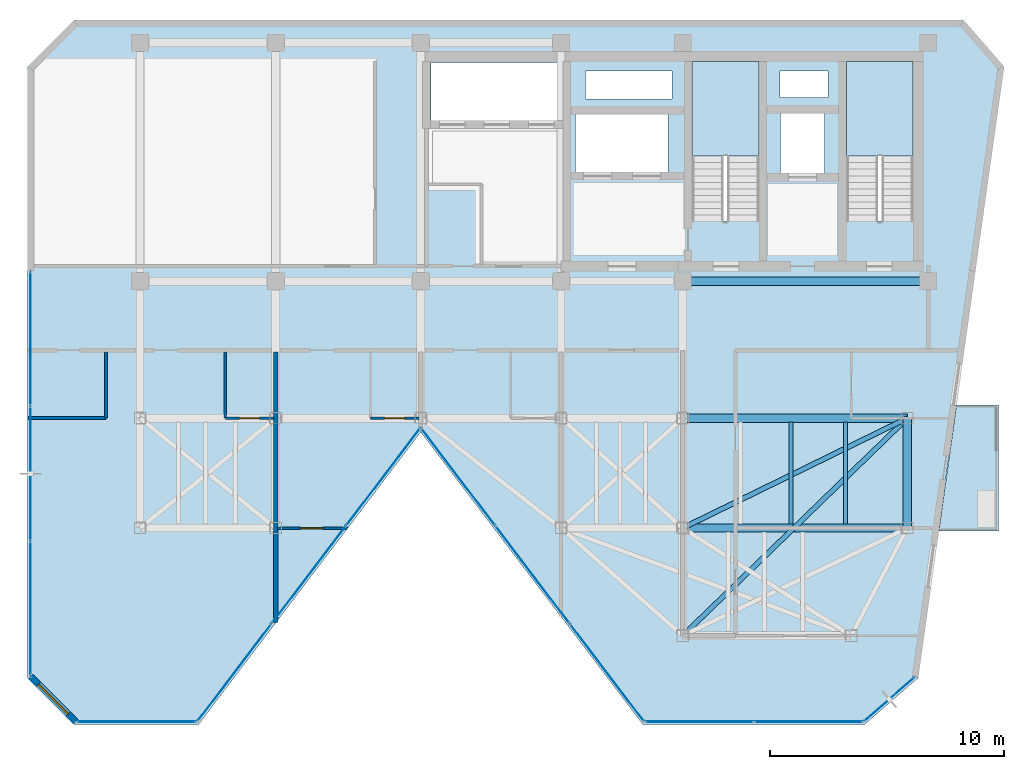
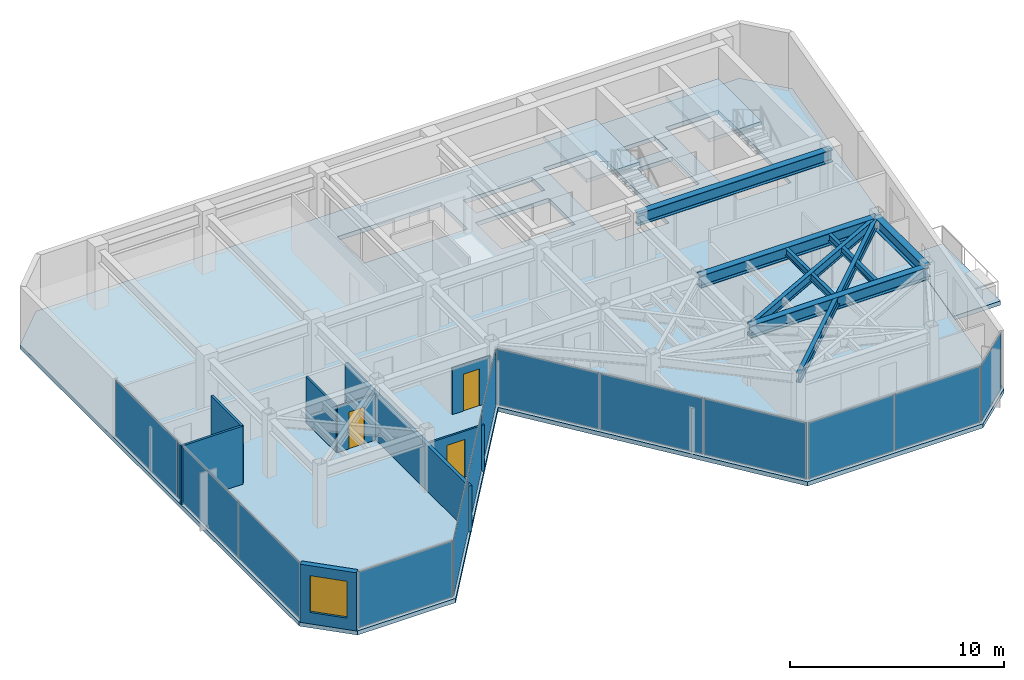
# One storey, part 14 of 19: 13 plates, 8 beams, 8 walls, 4 slabs, 3 doors, 1 window, 4 openings, 8 elements without a shape of their own.
"""IFC4 building model written with IfcOpenShell, lengths in metres."""

from ifc_helpers import new_model, si_unit, direction, frame, frame_2d, origin, origin_2d, place, context, subcontext, project, spatial, polyline, rectangle, i_section, outline, extrude, material, layer, layer_set, material_profile, profile_set, type_object, element, fill, aggregate, save


model = new_model("IFC4")

# Units and contexts
model_context = context("Model", 3, precision=1e-05, world=origin(), true_north=direction((0.0, 1.0)))
body_context = subcontext(model_context, "Body", "Model", "MODEL_VIEW")
ifc_project = project(units=[si_unit("LENGTHUNIT", "METRE"), si_unit("AREAUNIT", "SQUARE_METRE"), si_unit("VOLUMEUNIT", "CUBIC_METRE"), si_unit("PLANEANGLEUNIT", "RADIAN"), si_unit("MASSUNIT", "GRAM", prefix="KILO")], contexts=[model_context])

# Site, building, storey
site_placement = place(None, origin())
site = spatial("IfcSite", under=ifc_project, at=site_placement, CompositionType="ELEMENT")
building_placement = place(site_placement, origin())
building = spatial("IfcBuilding", under=site, at=building_placement, Name="Kravanh Interchange Tower", CompositionType="ELEMENT")
storey_placement = place(building_placement, frame((0.0, 0.0, 274.199951171875)))
storey = spatial("IfcBuildingStorey", under=building, at=storey_placement, Name="L67", CompositionType="ELEMENT", Elevation=274.199951171875)

# Beams
ifc_material_1 = material(Name="Structural Steel S355", Category="steel")
ifc_material_profile_1 = material_profile(ifc_material_1, i_section(OverallWidth=0.35498046875, OverallDepth=0.696044921875, WebThickness=0.015380859375, FlangeThickness=0.02490234375, FilletRadius=0.02392578125, at=origin_2d()), Name="W27X146")
ifc_profile_set_1 = profile_set([ifc_material_profile_1], Name="Structural Steel S355")
beam_type_1 = type_object("IfcBeamType", Name="Floor Beam W27X146 Structural Steel S355", PredefinedType="BEAM", material=ifc_profile_set_1)
beam_1_placement = place(storey_placement, frame((56.0, 31.5, 2.97216796875), z_axis=(1.0, 0.0, 0.0), x_axis=(0.0, 1.0, 0.0)))
element("IfcBeam", 1, at=beam_1_placement, inside=storey, type_object=beam_type_1, Name="L67 Primary Floor Girder 12", PredefinedType="BEAM", context=body_context, shape_type="SweptSolid", body=[
    extrude(i_section(OverallWidth=0.35498046875, OverallDepth=0.696044921875, WebThickness=0.015380859375, FlangeThickness=0.02490234375, FilletRadius=0.02392578125, at=origin_2d()), origin(), (0.0, 0.0, 1.0), 9.60009765625),
])
beam_2_placement = place(storey_placement, frame((65.60009765625, 31.5, 2.97216796875), z_axis=(0.0, -1.0, 0.0), x_axis=(1.0, 0.0, 0.0)))
element("IfcBeam", 2, at=beam_2_placement, inside=storey, type_object=beam_type_1, Name="L67 Primary Floor Girder 13", PredefinedType="BEAM", context=body_context, shape_type="SweptSolid", body=[
    extrude(i_section(OverallWidth=0.35498046875, OverallDepth=0.696044921875, WebThickness=0.015380859375, FlangeThickness=0.02490234375, FilletRadius=0.02392578125, at=origin_2d()), origin(), (0.0, 0.0, 1.0), 4.699951171875),
])
beam_3_placement = place(storey_placement, frame((56.0, 26.800048828125, 2.97216796875), z_axis=(1.0, 0.0, 0.0), x_axis=(0.0, 1.0, 0.0)))
element("IfcBeam", 3, at=beam_3_placement, inside=storey, type_object=beam_type_1, Name="L67 Primary Floor Girder 30", PredefinedType="BEAM", context=body_context, shape_type="SweptSolid", body=[
    extrude(i_section(OverallWidth=0.35498046875, OverallDepth=0.696044921875, WebThickness=0.015380859375, FlangeThickness=0.02490234375, FilletRadius=0.02392578125, at=origin_2d()), origin(), (0.0, 0.0, 1.0), 9.60009765625),
])
beam_4_placement = place(storey_placement, frame((66.5, 37.35009765625, 2.97216796875), z_axis=(-1.0, 0.0, 0.0), x_axis=(0.0, -1.0, 0.0)))
element("IfcBeam", 4, at=beam_4_placement, inside=storey, type_object=beam_type_1, Name="L67 Primary Floor Girder 38", PredefinedType="BEAM", context=body_context, shape_type="SweptSolid", body=[
    extrude(i_section(OverallWidth=0.35498046875, OverallDepth=0.696044921875, WebThickness=0.015380859375, FlangeThickness=0.02490234375, FilletRadius=0.02392578125, at=origin_2d()), origin(), (0.0, 0.0, 1.0), 10.5),
])
ifc_material_2 = material(Name="Structural Steel S355", Category="steel")
ifc_material_profile_2 = material_profile(ifc_material_2, i_section(OverallWidth=0.177978515625, OverallDepth=0.406005859375, WebThickness=0.0078125, FlangeThickness=0.0126953125, FilletRadius=0.01611328125, at=origin_2d()), Name="W16X40")
ifc_profile_set_2 = profile_set([ifc_material_profile_2], Name="Structural Steel S355")
beam_type_2 = type_object("IfcBeamType", Name="Floor Joist W16X40 Structural Steel S355", PredefinedType="JOIST", material=ifc_profile_set_2)
for number, where, z_axis, x_axis, name in (
    (5, (60.634033203125, 26.972412109375, 3.116943359375), (0.0, 1.0, 0.0), (-1.0, 0.0, 0.0), "L67 Secondary Floor Joist 11"),
    (6, (62.9580078125, 26.972412109375, 3.116943359375), (0.0, 1.0, 0.0), (-1.0, 0.0, 0.0), "L67 Secondary Floor Joist 12"),
):
    element("IfcBeam", number, at=place(storey_placement, frame(where, z_axis=z_axis, x_axis=x_axis)), inside=storey, type_object=beam_type_2, Name=name, PredefinedType="JOIST", context=body_context, shape_type="SweptSolid", body=[
        extrude(i_section(OverallWidth=0.177978515625, OverallDepth=0.406005859375, WebThickness=0.0078125, FlangeThickness=0.0126953125, FilletRadius=0.01611328125, at=origin_2d()), origin(), (0.0, 0.0, 1.0), 4.35498046875),
    ])
ifc_material_3 = material(Name="Structural Steel S355", Category="steel")
ifc_material_profile_3 = material_profile(ifc_material_3, i_section(OverallWidth=0.2099609375, OverallDepth=0.537109375, WebThickness=0.010986328125, FlangeThickness=0.017333984375, FilletRadius=0.02001953125, at=origin_2d()), Name="W21X68")
ifc_profile_set_3 = profile_set([ifc_material_profile_3], Name="Structural Steel S355")
beam_type_3 = type_object("IfcBeamType", Name="Floor Spandrel W21X68 Structural Steel S355", PredefinedType="SPANDREL", material=ifc_profile_set_3)
beam_5_placement = place(storey_placement, frame((65.60009765625, 31.5, 3.051513671875), z_axis=(-0.898141688387, -0.439706160499, 0.0), x_axis=(0.439706160499, -0.898141688387, 0.0)))
element("IfcBeam", 7, at=beam_5_placement, inside=storey, type_object=beam_type_3, Name="L67 Perimeter Spandrel 15", PredefinedType="SPANDREL", context=body_context, shape_type="SweptSolid", body=[
    extrude(i_section(OverallWidth=0.2099609375, OverallDepth=0.537109375, WebThickness=0.010986328125, FlangeThickness=0.017333984375, FilletRadius=0.02001953125, at=origin_2d()), origin(), (0.0, 0.0, 1.0), 10.68896484375),
])
beam_6_placement = place(storey_placement, frame((65.60009765625, 31.5, 3.051513671875), z_axis=(-0.718241934329, -0.695793449072, 0.0), x_axis=(0.695793449072, -0.718241934329, 0.0)))
element("IfcBeam", 8, at=beam_6_placement, inside=storey, type_object=beam_type_3, Name="L67 Perimeter Spandrel 16", PredefinedType="SPANDREL", context=body_context, shape_type="SweptSolid", body=[
    extrude(i_section(OverallWidth=0.2099609375, OverallDepth=0.537109375, WebThickness=0.010986328125, FlangeThickness=0.017333984375, FilletRadius=0.02001953125, at=origin_2d()), origin(), (0.0, 0.0, 1.0), 13.3662109375),
])

# Curtain wall, plates
ifc_material_4 = material(Name="Anodised Bronze Aluminium", Category="aluminium")
ifc_layer_1 = layer(ifc_material_4, 0.179931640625)
ifc_layer_set_1 = layer_set([ifc_layer_1], Name="Unitised Curtain Wall System CW-HTL Luxury Hotel")
curtain_wall_type = type_object("IfcCurtainWallType", Name="Unitised Curtain Wall System CW-HTL Luxury Hotel", PredefinedType="NOTDEFINED", material=ifc_layer_set_1)
curtain_wall_1_placement = place(storey_placement, origin())
curtain_wall_1 = element("IfcCurtainWall", 9, at=curtain_wall_1_placement, inside=storey, type_object=curtain_wall_type, Name="L67 Unitised Curtain Wall CW-L67-01", PredefinedType="NOTDEFINED")
ifc_material_5 = material(Name="Low-E Laminated Architectural Glass", Category="glass")
ifc_layer_2 = layer(ifc_material_5, 0.030029296875)
ifc_layer_set_2 = layer_set([ifc_layer_2], Name="Acoustic Laminated Glazing 30mm")
plate_type = type_object("IfcPlateType", Name="Acoustic Laminated Glazing 30mm", PredefinedType="CURTAIN_PANEL", material=ifc_layer_set_2)
plate_1_placement = place(storey_placement, frame((28.1201171875, 23.3564453125, 0.06005859375), z_axis=(0.0, 0.0, 1.0), x_axis=(0.0, 1.0, 0.0)))
plate_1 = element("IfcPlate", 10, at=plate_1_placement, type_object=plate_type, Name="CW-HTL panel 1.1", PredefinedType="CURTAIN_PANEL", context=body_context, shape_type="SweptSolid", body=[
    extrude(rectangle(XDim=5.693359375, YDim=0.030029296875, at=origin_2d()), origin(), (0.0, 0.0, 1.0), 3.199951171875),
])
plate_2_placement = place(storey_placement, frame((28.1201171875, 29.124755859375, 0.06005859375), z_axis=(0.0, 0.0, 1.0), x_axis=(0.0, 1.0, 0.0)))
plate_2 = element("IfcPlate", 11, at=plate_2_placement, type_object=plate_type, Name="CW-HTL panel 2.1", PredefinedType="CURTAIN_PANEL", context=body_context, shape_type="SweptSolid", body=[
    extrude(rectangle(XDim=5.723388671875, YDim=0.030029296875, at=origin_2d()), origin(), (0.0, 0.0, 1.0), 3.199951171875),
])
plate_3_placement = place(storey_placement, frame((28.1201171875, 34.893310546875, 0.06005859375), z_axis=(0.0, 0.0, 1.0), x_axis=(0.0, 1.0, 0.0)))
plate_3 = element("IfcPlate", 12, at=plate_3_placement, type_object=plate_type, Name="CW-HTL panel 3.1", PredefinedType="CURTAIN_PANEL", context=body_context, shape_type="SweptSolid", body=[
    extrude(rectangle(XDim=5.693359375, YDim=0.030029296875, at=origin_2d()), origin(), (0.0, 0.0, 1.0), 3.199951171875),
])
aggregate(curtain_wall_1, [plate_1, plate_2, plate_3])

# Curtain wall, plate
curtain_wall_2_placement = place(storey_placement, origin())
curtain_wall_2 = element("IfcCurtainWall", 13, at=curtain_wall_2_placement, inside=storey, type_object=curtain_wall_type, Name="L67 Unitised Curtain Wall CW-L67-02", PredefinedType="NOTDEFINED")
plate_4_placement = place(storey_placement, frame((64.830078125, 19.480712890625, 0.06005859375), z_axis=(0.0, 0.0, 1.0), x_axis=(-0.75473192521, -0.656033323139, 0.0)))
plate_4 = element("IfcPlate", 14, at=plate_4_placement, type_object=plate_type, Name="CW-HTL panel 1.1", PredefinedType="CURTAIN_PANEL", context=body_context, shape_type="SweptSolid", body=[
    extrude(rectangle(XDim=2.80908203125, YDim=0.030029296875, at=origin_2d()), origin(), (0.0, 0.0, 1.0), 3.199951171875),
])
aggregate(curtain_wall_2, [plate_4])

# Curtain wall, plates
curtain_wall_3_placement = place(storey_placement, origin())
curtain_wall_3 = element("IfcCurtainWall", 15, at=curtain_wall_3_placement, inside=storey, type_object=curtain_wall_type, Name="L67 Unitised Curtain Wall CW-L67-03", PredefinedType="NOTDEFINED")
plate_5_placement = place(storey_placement, frame((61.368408203125, 18.52001953125, 0.06005859375), z_axis=(0.0, 0.0, 1.0), x_axis=(-1.0, 0.0, 0.0)))
plate_5 = element("IfcPlate", 16, at=plate_5_placement, type_object=plate_type, Name="CW-HTL panel 1.1", PredefinedType="CURTAIN_PANEL", context=body_context, shape_type="SweptSolid", body=[
    extrude(rectangle(XDim=4.592529296875, YDim=0.030029296875, at=origin_2d()), origin(), (0.0, 0.0, 1.0), 3.199951171875),
])
plate_6_placement = place(storey_placement, frame((56.7158203125, 18.52001953125, 0.06005859375), z_axis=(0.0, 0.0, 1.0), x_axis=(-1.0, 0.0, 0.0)))
plate_6 = element("IfcPlate", 17, at=plate_6_placement, type_object=plate_type, Name="CW-HTL panel 2.1", PredefinedType="CURTAIN_PANEL", context=body_context, shape_type="SweptSolid", body=[
    extrude(rectangle(XDim=4.592529296875, YDim=0.030029296875, at=origin_2d()), origin(), (0.0, 0.0, 1.0), 3.199951171875),
])
aggregate(curtain_wall_3, [plate_5, plate_6])

curtain_wall_4_placement = place(storey_placement, origin())
curtain_wall_4 = element("IfcCurtainWall", 18, at=curtain_wall_4_placement, inside=storey, type_object=curtain_wall_type, Name="L67 Unitised Curtain Wall CW-L67-04", PredefinedType="NOTDEFINED")
plate_7_placement = place(storey_placement, frame((52.757080078125, 20.62841796875, 0.06005859375), z_axis=(0.0, 0.0, 1.0), x_axis=(-0.605082946564, 0.79616243806, 0.0)))
plate_7 = element("IfcPlate", 19, at=plate_7_placement, type_object=plate_type, Name="CW-HTL panel 1.1", PredefinedType="CURTAIN_PANEL", context=body_context, shape_type="SweptSolid", body=[
    extrude(rectangle(XDim=5.17626953125, YDim=0.030029296875, at=origin_2d()), origin(), (0.0, 0.0, 1.0), 3.199951171875),
])
plate_8_placement = place(storey_placement, frame((49.579833984375, 24.80908203125, 0.06005859375), z_axis=(0.0, 0.0, 1.0), x_axis=(-0.605082946564, 0.79616243806, 0.0)))
plate_8 = element("IfcPlate", 20, at=plate_8_placement, type_object=plate_type, Name="CW-HTL panel 2.1", PredefinedType="CURTAIN_PANEL", context=body_context, shape_type="SweptSolid", body=[
    extrude(rectangle(XDim=5.206298828125, YDim=0.030029296875, at=origin_2d()), origin(), (0.0, 0.0, 1.0), 3.199951171875),
])
plate_9_placement = place(storey_placement, frame((46.40234375, 28.989990234375, 0.06005859375), z_axis=(0.0, 0.0, 1.0), x_axis=(-0.605082946564, 0.79616243806, 0.0)))
plate_9 = element("IfcPlate", 21, at=plate_9_placement, type_object=plate_type, Name="CW-HTL panel 3.1", PredefinedType="CURTAIN_PANEL", context=body_context, shape_type="SweptSolid", body=[
    extrude(rectangle(XDim=5.17626953125, YDim=0.030029296875, at=origin_2d()), origin(), (0.0, 0.0, 1.0), 3.199951171875),
])
aggregate(curtain_wall_4, [plate_7, plate_8, plate_9])

curtain_wall_5_placement = place(storey_placement, origin())
curtain_wall_5 = element("IfcCurtainWall", 22, at=curtain_wall_5_placement, inside=storey, type_object=curtain_wall_type, Name="L67 Unitised Curtain Wall CW-L67-05", PredefinedType="NOTDEFINED")
plate_10_placement = place(storey_placement, frame((43.19775390625, 28.989990234375, 0.06005859375), z_axis=(0.0, 0.0, 1.0), x_axis=(-0.605082946564, -0.79616243806, 0.0)))
plate_10 = element("IfcPlate", 23, at=plate_10_placement, type_object=plate_type, Name="CW-HTL panel 1.1", PredefinedType="CURTAIN_PANEL", context=body_context, shape_type="SweptSolid", body=[
    extrude(rectangle(XDim=5.17626953125, YDim=0.030029296875, at=origin_2d()), origin(), (0.0, 0.0, 1.0), 3.199951171875),
])
plate_11_placement = place(storey_placement, frame((40.020263671875, 24.80908203125, 0.06005859375), z_axis=(0.0, 0.0, 1.0), x_axis=(-0.605082946564, -0.79616243806, 0.0)))
plate_11 = element("IfcPlate", 24, at=plate_11_placement, type_object=plate_type, Name="CW-HTL panel 2.1", PredefinedType="CURTAIN_PANEL", context=body_context, shape_type="SweptSolid", body=[
    extrude(rectangle(XDim=5.206298828125, YDim=0.030029296875, at=origin_2d()), origin(), (0.0, 0.0, 1.0), 3.199951171875),
])
plate_12_placement = place(storey_placement, frame((36.8427734375, 20.62841796875, 0.06005859375), z_axis=(0.0, 0.0, 1.0), x_axis=(-0.605082946564, -0.79616243806, 0.0)))
plate_12 = element("IfcPlate", 25, at=plate_12_placement, type_object=plate_type, Name="CW-HTL panel 3.1", PredefinedType="CURTAIN_PANEL", context=body_context, shape_type="SweptSolid", body=[
    extrude(rectangle(XDim=5.17626953125, YDim=0.030029296875, at=origin_2d()), origin(), (0.0, 0.0, 1.0), 3.199951171875),
])
aggregate(curtain_wall_5, [plate_10, plate_11, plate_12])

# Curtain wall, plate
curtain_wall_6_placement = place(storey_placement, origin())
curtain_wall_6 = element("IfcCurtainWall", 26, at=curtain_wall_6_placement, inside=storey, type_object=curtain_wall_type, Name="L67 Unitised Curtain Wall CW-L67-06", PredefinedType="NOTDEFINED")
plate_13_placement = place(storey_placement, frame((32.64501953125, 18.52001953125, 0.06005859375), z_axis=(0.0, 0.0, 1.0), x_axis=(-1.0, 0.0, 0.0)))
plate_13 = element("IfcPlate", 27, at=plate_13_placement, type_object=plate_type, Name="CW-HTL panel 1.1", PredefinedType="CURTAIN_PANEL", context=body_context, shape_type="SweptSolid", body=[
    extrude(rectangle(XDim=5.07080078125, YDim=0.030029296875, at=origin_2d()), origin(), (0.0, 0.0, 1.0), 3.199951171875),
])
aggregate(curtain_wall_6, [plate_13])

# Slab
ifc_material_6 = material(Name="Concrete C50/60", Category="concrete")
ifc_layer_3 = layer(ifc_material_6, 0.239990234375)
ifc_layer_set_3 = layer_set([ifc_layer_3], Name="Composite Floor Slab Concrete C50/60 240mm")
slab_type_1 = type_object("IfcSlabType", Name="Composite Floor Slab Concrete C50/60 240mm", PredefinedType="FLOOR", material=ifc_layer_set_3)
slab_1_placement = place(storey_placement, frame((0.0, 0.0, -0.239990234375)))
element("IfcSlab", 28, at=slab_1_placement, inside=storey, type_object=slab_type_1, Name="L67 Structural Floor Slab", PredefinedType="FLOOR", context=body_context, shape_type="SweptSolid", body=[
    extrude(outline(polyline([(28.0, 20.39990234375), (30.0, 18.39990234375), (35.300048828125, 18.39990234375), (44.800048828125, 30.89990234375), (54.300048828125, 18.39990234375), (63.769775390625, 18.39990234375), (66.048095703125, 20.380615234375), (69.7216796875, 46.51953125), (68.0, 48.5), (30.0, 48.5), (28.0, 46.5), (28.0, 20.39990234375)]), holes=[polyline([(65.85009765625, 39.925048828125), (65.85009765625, 46.75), (63.0, 46.75), (63.0, 39.925048828125), (65.85009765625, 39.925048828125)]), polyline([(59.25, 39.925048828125), (59.25, 46.75), (56.39990234375, 46.75), (56.39990234375, 39.925048828125), (59.25, 39.925048828125)]), polyline([(45.239990234375, 44.219970703125), (50.840087890625, 44.219970703125), (50.840087890625, 46.699951171875), (45.239990234375, 46.699951171875), (45.239990234375, 44.219970703125)]), polyline([(51.419921875, 42.02001953125), (55.3798828125, 42.02001953125), (55.3798828125, 44.47998046875), (51.419921875, 44.47998046875), (51.419921875, 42.02001953125)]), polyline([(60.179931640625, 41.97998046875), (62.06005859375, 41.97998046875), (62.06005859375, 44.52001953125), (60.179931640625, 44.52001953125), (60.179931640625, 41.97998046875)]), polyline([(60.14990234375, 45.199951171875), (62.199951171875, 45.199951171875), (62.199951171875, 46.35009765625), (60.14990234375, 46.35009765625), (60.14990234375, 45.199951171875)]), polyline([(51.85009765625, 45.14990234375), (55.550048828125, 45.14990234375), (55.550048828125, 46.35009765625), (51.85009765625, 46.35009765625), (51.85009765625, 45.14990234375)])]), origin(), (0.0, 0.0, 1.0), 0.239990234375),
])

# Stair, slab
ifc_material_7 = material(Name="Concrete C50/60", Category="concrete")
stair_type = type_object("IfcStairType", Name="Core Fire Exit Dogleg Stair Concrete C50/60", PredefinedType="HALF_TURN_STAIR", material=ifc_material_7)
stair_1_placement = place(storey_placement, origin())
stair_1 = element("IfcStair", 29, at=stair_1_placement, inside=storey, type_object=stair_type, Name="L67 Exit Stair ST1", PredefinedType="HALF_TURN_STAIR")
ifc_material_8 = material(Name="Concrete C50/60", Category="concrete")
ifc_layer_4 = layer(ifc_material_8, 0.199951171875)
ifc_layer_set_4 = layer_set([ifc_layer_4], Name="Concrete C50/60 Stair Half-Landing Slab 200mm")
slab_type_2 = type_object("IfcSlabType", Name="Concrete C50/60 Stair Half-Landing Slab 200mm", PredefinedType="LANDING", material=ifc_layer_set_4)
slab_2_placement = place(storey_placement, frame((0.0, 0.0, 1.60009765625)))
slab_2 = element("IfcSlab", 30, at=slab_2_placement, type_object=slab_type_2, Name="ST1 landing 1", PredefinedType="LANDING", context=body_context, shape_type="SweptSolid", body=[
    extrude(outline(polyline([(65.85009765625, 42.699951171875), (65.85009765625, 46.75), (63.0, 46.75), (63.0, 42.699951171875), (65.85009765625, 42.699951171875)])), origin(), (0.0, 0.0, 1.0), 0.199951171875),
])
aggregate(stair_1, [slab_2])

stair_2_placement = place(storey_placement, origin())
stair_2 = element("IfcStair", 31, at=stair_2_placement, inside=storey, type_object=stair_type, Name="L67 Exit Stair ST2", PredefinedType="HALF_TURN_STAIR")
slab_3_placement = place(storey_placement, frame((0.0, 0.0, 1.60009765625)))
slab_3 = element("IfcSlab", 32, at=slab_3_placement, type_object=slab_type_2, Name="ST2 landing 1", PredefinedType="LANDING", context=body_context, shape_type="SweptSolid", body=[
    extrude(outline(polyline([(59.25, 42.699951171875), (59.25, 46.75), (56.39990234375, 46.75), (56.39990234375, 42.699951171875), (59.25, 42.699951171875)])), origin(), (0.0, 0.0, 1.0), 0.199951171875),
])
aggregate(stair_2, [slab_3])

# Slab
ifc_material_9 = material(Name="Concrete C50/60", Category="concrete")
ifc_layer_5 = layer(ifc_material_9, 0.199951171875)
ifc_layer_set_5 = layer_set([ifc_layer_5], Name="Planted Tree Balcony Slab Concrete C50/60 200mm")
slab_type_3 = type_object("IfcSlabType", Name="Planted Tree Balcony Slab Concrete C50/60 200mm", PredefinedType="USERDEFINED", material=ifc_layer_set_5)
slab_4_placement = place(storey_placement, frame((0.0, 0.0, -0.239990234375)))
element("IfcSlab", 33, at=slab_4_placement, inside=storey, type_object=slab_type_3, Name="L67 East Tree Planter Balcony Slab", ObjectType="BALCONY", PredefinedType="USERDEFINED", context=body_context, shape_type="SweptSolid", body=[
    extrude(outline(polyline([(69.489990234375, 32.070068359375), (69.489990234375, 26.669921875), (66.947265625, 26.669921875), (67.7060546875, 32.070068359375), (69.489990234375, 32.070068359375)])), origin(), (0.0, 0.0, 1.0), 0.239990234375),
])

# Walls
ifc_material_10 = material(Name="Double Acoustic Gypsum Board and Mineral Wool")
ifc_layer_6 = layer(ifc_material_10, 0.1201171875)
ifc_layer_set_6 = layer_set([ifc_layer_6], Name="Acoustic Office Drywall Partition 120mm")
wall_type_1 = type_object("IfcWallType", Name="Acoustic Office Drywall Partition 120mm", PredefinedType="PARTITIONING", material=ifc_layer_set_6)
wall_1_placement = place(storey_placement, frame((31.340087890625, 31.5, 0.0), z_axis=(0.0, 0.0, 1.0), x_axis=(0.0, 1.0, 0.0)))
element("IfcWall", 34, at=wall_1_placement, inside=storey, type_object=wall_type_1, Name="L67 Interior Partition 14", PredefinedType="PARTITIONING", context=body_context, shape_type="SweptSolid", body=[
    extrude(rectangle(XDim=2.83203125, YDim=0.1201171875, at=frame_2d((1.416015625, 0.0))), origin(), (0.0, 0.0, 1.0), 3.320068359375),
])
wall_2_placement = place(storey_placement, frame((28.014892578125, 31.5, 0.0), z_axis=(0.0, 0.0, 1.0), x_axis=(1.0, 0.0, 0.0)))
element("IfcWall", 35, at=wall_2_placement, inside=storey, type_object=wall_type_1, Name="L67 Interior Partition 15", PredefinedType="PARTITIONING", context=body_context, shape_type="SweptSolid", body=[
    extrude(rectangle(XDim=3.3251953125, YDim=0.1201171875, at=frame_2d((1.66259765625, 0.0))), origin(), (0.0, 0.0, 1.0), 3.320068359375),
])
ifc_material_11 = material(Name="Moisture-Resistant Gypsum Board and Mineral Wool")
ifc_layer_7 = layer(ifc_material_11, 0.10009765625)
ifc_layer_set_7 = layer_set([ifc_layer_7], Name="En-Suite Moisture-Resistant Partition 100mm")
wall_type_2 = type_object("IfcWallType", Name="En-Suite Moisture-Resistant Partition 100mm", PredefinedType="PARTITIONING", material=ifc_layer_set_7)
wall_3_placement = place(storey_placement, frame((36.449951171875, 31.5, 0.0), z_axis=(0.0, 0.0, 1.0), x_axis=(0.0, 1.0, 0.0)))
element("IfcWall", 36, at=wall_3_placement, inside=storey, type_object=wall_type_2, Name="L67 Interior Partition 20", PredefinedType="PARTITIONING", context=body_context, shape_type="SweptSolid", body=[
    extrude(rectangle(XDim=2.83203125, YDim=0.10009765625, at=frame_2d((1.416015625, 0.0))), origin(), (0.0, 0.0, 1.0), 2.6240234375),
])

# Wall, opening, door
wall_4_placement = place(storey_placement, frame((36.449951171875, 31.5, 0.0), z_axis=(0.0, 0.0, 1.0), x_axis=(1.0, 0.0, 0.0)))
wall_4 = element("IfcWall", 37, at=wall_4_placement, inside=storey, type_object=wall_type_2, Name="L67 Interior Partition 21", PredefinedType="PARTITIONING", context=body_context, shape_type="SweptSolid", body=[
    extrude(rectangle(XDim=2.08203125, YDim=0.10009765625, at=frame_2d((1.041015625, 0.0))), origin(), (0.0, 0.0, 1.0), 2.6240234375),
])
opening_1_placement = place(wall_4_placement, frame((0.607421875, 0.0, 0.0)))
opening_1 = element("IfcOpeningElement", 38, at=opening_1_placement, cuts=wall_4, Name="Opening D-85", PredefinedType="OPENING", context=body_context, shape_type="SweptSolid", body=[
    extrude(rectangle(XDim=0.85009765625, YDim=2.10009765625, at=frame_2d((0.425048828125, 1.050048828125))), frame((0.0, 0.06005859375, 0.0), z_axis=(0.0, -1.0, 0.0), x_axis=(1.0, 0.0, 0.0)), (0.0, 0.0, 1.0), 0.1201171875),
])
ifc_material_12 = material(Name="Engineered Teak Veneer Timber", Category="wood")
door_type_1 = type_object("IfcDoorType", Name="En-Suite Timber Door 850x2100", OperationType="NOTDEFINED", PredefinedType="DOOR", material=ifc_material_12)
door_1_placement = place(opening_1_placement, origin())
door_1 = element("IfcDoor", 39, at=door_1_placement, inside=storey, type_object=door_type_1, Name="L67 En-suite Bathroom Door", OperationType="SINGLE_SWING_RIGHT", OverallHeight=2.10009765625, OverallWidth=0.85009765625, PredefinedType="DOOR", context=body_context, shape_type="SweptSolid", body=[
    extrude(rectangle(XDim=0.85009765625, YDim=2.10009765625, at=frame_2d((0.425048828125, 1.050048828125))), frame((0.0, 0.02490234375, 0.0), z_axis=(0.0, -1.0, 0.0), x_axis=(1.0, 0.0, 0.0)), (0.0, 0.0, 1.0), 0.050048828125),
])
fill(opening_1, door_1)

wall_5_placement = place(storey_placement, frame((38.66796875, 26.800048828125, 0.0), z_axis=(0.0, 0.0, 1.0), x_axis=(1.0, 0.0, 0.0)))
wall_5 = element("IfcWall", 40, at=wall_5_placement, inside=storey, type_object=wall_type_2, Name="L67 Interior Partition 23", PredefinedType="PARTITIONING", context=body_context, shape_type="SweptSolid", body=[
    extrude(rectangle(XDim=2.997314453125, YDim=0.10009765625, at=frame_2d((1.49853515625, 0.0))), origin(), (0.0, 0.0, 1.0), 2.6240234375),
])
opening_2_placement = place(wall_5_placement, frame((0.989501953125, 0.0, 0.0)))
opening_2 = element("IfcOpeningElement", 41, at=opening_2_placement, cuts=wall_5, Name="Opening D-95", PredefinedType="OPENING", context=body_context, shape_type="SweptSolid", body=[
    extrude(rectangle(XDim=0.949951171875, YDim=2.14990234375, at=frame_2d((0.47509765625, 1.074951171875))), frame((0.0, 0.06005859375, 0.0), z_axis=(0.0, -1.0, 0.0), x_axis=(1.0, 0.0, 0.0)), (0.0, 0.0, 1.0), 0.1201171875),
])
ifc_material_13 = material(Name="Laminate Solid-Core Timber", Category="wood")
door_type_2 = type_object("IfcDoorType", Name="Accessible Restroom Door 950x2150", OperationType="NOTDEFINED", PredefinedType="DOOR", material=ifc_material_13)
door_2_placement = place(opening_2_placement, origin())
door_2 = element("IfcDoor", 42, at=door_2_placement, inside=storey, type_object=door_type_2, Name="L67 Sunroom Alcove Inner Door", OperationType="SINGLE_SWING_LEFT", OverallHeight=2.14990234375, OverallWidth=0.949951171875, PredefinedType="DOOR", context=body_context, shape_type="SweptSolid", body=[
    extrude(rectangle(XDim=0.949951171875, YDim=2.14990234375, at=frame_2d((0.47509765625, 1.074951171875))), frame((0.0, 0.02490234375, 0.0), z_axis=(0.0, -1.0, 0.0), x_axis=(1.0, 0.0, 0.0)), (0.0, 0.0, 1.0), 0.050048828125),
])
fill(opening_2, door_2)

wall_6_placement = place(storey_placement, frame((42.64990234375, 31.5, 0.0), z_axis=(0.0, 0.0, 1.0), x_axis=(1.0, 0.0, 0.0)))
wall_6 = element("IfcWall", 43, at=wall_6_placement, inside=storey, type_object=wall_type_2, Name="L67 Interior Partition 25", PredefinedType="PARTITIONING", context=body_context, shape_type="SweptSolid", body=[
    extrude(rectangle(XDim=2.08203125, YDim=0.10009765625, at=frame_2d((1.041015625, 0.0))), origin(), (0.0, 0.0, 1.0), 2.6240234375),
])
opening_3_placement = place(wall_6_placement, frame((0.607421875, 0.0, 0.0)))
opening_3 = element("IfcOpeningElement", 44, at=opening_3_placement, cuts=wall_6, Name="Opening D-85", PredefinedType="OPENING", context=body_context, shape_type="SweptSolid", body=[
    extrude(rectangle(XDim=0.85009765625, YDim=2.10009765625, at=frame_2d((0.425048828125, 1.050048828125))), frame((0.0, 0.06005859375, 0.0), z_axis=(0.0, -1.0, 0.0), x_axis=(1.0, 0.0, 0.0)), (0.0, 0.0, 1.0), 0.1201171875),
])
door_3_placement = place(opening_3_placement, origin())
door_3 = element("IfcDoor", 45, at=door_3_placement, inside=storey, type_object=door_type_1, Name="L67 En-suite Bathroom Door", OperationType="SINGLE_SWING_LEFT", OverallHeight=2.10009765625, OverallWidth=0.85009765625, PredefinedType="DOOR", context=body_context, shape_type="SweptSolid", body=[
    extrude(rectangle(XDim=0.85009765625, YDim=2.10009765625, at=frame_2d((0.425048828125, 1.050048828125))), frame((0.0, 0.02490234375, 0.0), z_axis=(0.0, -1.0, 0.0), x_axis=(1.0, 0.0, 0.0)), (0.0, 0.0, 1.0), 0.050048828125),
])
fill(opening_3, door_3)

# Wall, opening, window
ifc_material_14 = material(Name="Insulated Precast Concrete C40/50 with Bronze Cladding", Category="concrete")
ifc_layer_8 = layer(ifc_material_14, 0.280029296875)
ifc_layer_set_8 = layer_set([ifc_layer_8], Name="Exterior Insulated Concrete C40/50 Bronze Spandrel Wall 280mm")
wall_type_3 = type_object("IfcWallType", Name="Exterior Insulated Concrete C40/50 Bronze Spandrel Wall 280mm", PredefinedType="STANDARD", material=ifc_layer_set_8)
wall_7_placement = place(storey_placement, frame((30.0498046875, 18.52001953125, 0.0), z_axis=(0.0, 0.0, 1.0), x_axis=(-0.707106781187, 0.707106781187, 0.0)))
wall_7 = element("IfcWall", 46, at=wall_7_placement, inside=storey, type_object=wall_type_3, Name="L67 Exterior Wall 7", PredefinedType="STANDARD", context=body_context, shape_type="SweptSolid", body=[
    extrude(rectangle(XDim=2.72900390625, YDim=0.280029296875, at=frame_2d((1.364501953125, 0.0))), origin(), (0.0, 0.0, 1.0), 3.320068359375),
])
opening_4_placement = place(wall_7_placement, frame((0.455078125, 0.0, 0.64990234375)))
opening_4 = element("IfcOpeningElement", 47, at=opening_4_placement, cuts=wall_7, Name="Opening WN-180X210", PredefinedType="OPENING", context=body_context, shape_type="SweptSolid", body=[
    extrude(rectangle(XDim=1.800048828125, YDim=2.10009765625, at=frame_2d((0.89990234375, 1.050048828125))), frame((0.0, 0.14990234375, 0.0), z_axis=(0.0, -1.0, 0.0), x_axis=(1.0, 0.0, 0.0)), (0.0, 0.0, 1.0), 0.300048828125),
])
ifc_material_15 = material(Name="Thermally Broken Bronze Aluminium and Low-E Glass", Category="aluminium")
window_type = type_object("IfcWindowType", Name="Tower Pier Window 1800x2100", PartitioningType="SINGLE_PANEL", PredefinedType="WINDOW", material=ifc_material_15)
window_placement = place(opening_4_placement, origin())
window = element("IfcWindow", 48, at=window_placement, inside=storey, type_object=window_type, Name="L67 Corner Window 7", OverallHeight=2.10009765625, OverallWidth=1.800048828125, PartitioningType="SINGLE_PANEL", PredefinedType="WINDOW", context=body_context, shape_type="SweptSolid", body=[
    extrude(rectangle(XDim=1.800048828125, YDim=2.10009765625, at=frame_2d((0.89990234375, 1.050048828125))), frame((0.0, 0.030029296875, 0.0), z_axis=(0.0, -1.0, 0.0), x_axis=(1.0, 0.0, 0.0)), (0.0, 0.0, 1.0), 0.06005859375),
])
fill(opening_4, window)

# Wall
ifc_material_16 = material(Name="Autoclaved Aerated Concrete C30/37 Blockwork", Category="masonry")
ifc_layer_9 = layer(ifc_material_16, 0.179931640625)
ifc_layer_set_9 = layer_set([ifc_layer_9], Name="Fire-Rated Lobby and Corridor Wall Concrete C30/37 180mm")
wall_type_4 = type_object("IfcWallType", Name="Fire-Rated Lobby and Corridor Wall Concrete C30/37 180mm", PredefinedType="STANDARD", material=ifc_layer_set_9)
wall_8_placement = place(storey_placement, frame((38.60009765625, 22.766845703125, 0.0), z_axis=(0.0, 0.0, 1.0), x_axis=(0.0, 1.0, 0.0)))
element("IfcWall", 49, at=wall_8_placement, inside=storey, type_object=wall_type_4, Name="L67 Interior Partition 22", PredefinedType="STANDARD", context=body_context, shape_type="SweptSolid", body=[
    extrude(rectangle(XDim=11.565185546875, YDim=0.179931640625, at=frame_2d((5.78271484375, 0.0))), origin(), (0.0, 0.0, 1.0), 2.6240234375),
])

save(model, "model.ifc")
